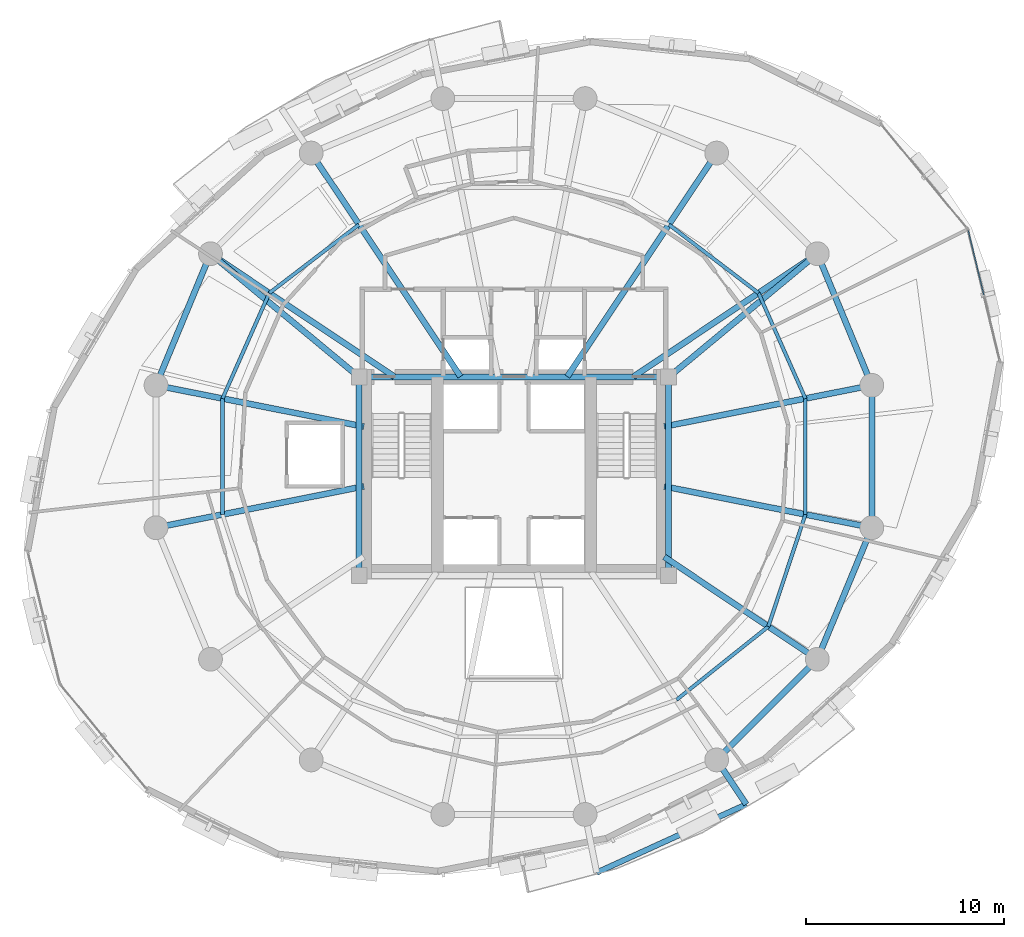
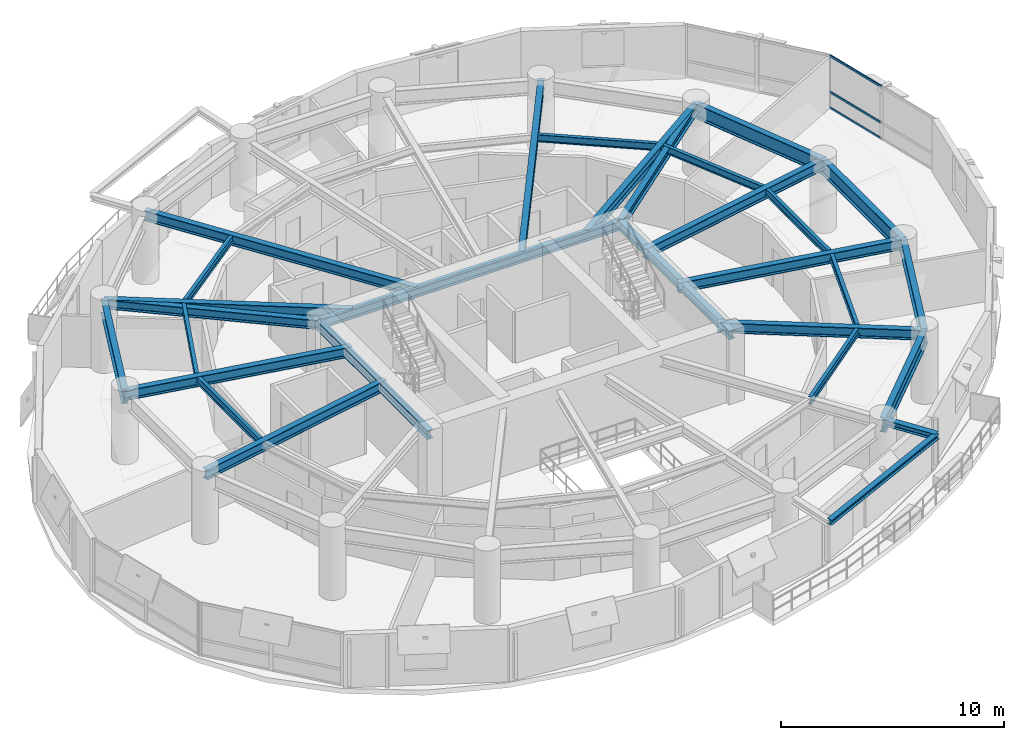
# One storey, part 5 of 14: 29 beams, 3 members, 1 element without a shape of its own.
"""IFC4 building model written with IfcOpenShell, lengths in metres."""

from ifc_helpers import new_model, si_unit, direction, frame, origin, origin_2d, place, context, subcontext, project, spatial, hollow_rectangle, i_section, extrude, material, layer, layer_set, material_profile, profile_set, type_object, element, aggregate, save


model = new_model("IFC4")

# Units and contexts
model_context = context("Model", 3, precision=1e-05, world=origin(), true_north=direction((0.0, 1.0)))
body_context = subcontext(model_context, "Body", "Model", "MODEL_VIEW")
ifc_project = project(units=[si_unit("LENGTHUNIT", "METRE"), si_unit("AREAUNIT", "SQUARE_METRE"), si_unit("VOLUMEUNIT", "CUBIC_METRE"), si_unit("PLANEANGLEUNIT", "RADIAN"), si_unit("MASSUNIT", "GRAM", prefix="KILO"), si_unit("THERMODYNAMICTEMPERATUREUNIT", "KELVIN"), si_unit("POWERUNIT", "WATT")], contexts=[model_context])

# Site, building, storey
site_placement = place(None, origin())
site = spatial("IfcSite", under=ifc_project, at=site_placement, CompositionType="ELEMENT")
building_placement = place(site_placement, origin())
building = spatial("IfcBuilding", under=site, at=building_placement, Name="Ocrelia Relay Tower", CompositionType="ELEMENT")
storey_placement = place(building_placement, frame((0.0, 0.0, 145.800048828125)))
storey = spatial("IfcBuildingStorey", under=building, at=storey_placement, Name="L34", CompositionType="ELEMENT", Elevation=145.800048828125)

# Beams
ifc_material_1 = material(Name="Steel S355", Category="steel")
ifc_material_profile_1 = material_profile(ifc_material_1, i_section(OverallWidth=0.280029296875, OverallDepth=0.27001953125, WebThickness=0.008056640625, FlangeThickness=0.012939453125, FilletRadius=0.02392578125, at=origin_2d()), Name="HEA 280")
ifc_profile_set_1 = profile_set([ifc_material_profile_1], Name="Steel S355")
beam_type_1 = type_object("IfcBeamType", Name="BM-HEA280", PredefinedType="BEAM", material=ifc_profile_set_1)
beam_1_placement = place(storey_placement, frame((38.173583984375, 5.017333984375, 3.5849609375), z_axis=(0.909713143256, 0.415237277937, 0.0), x_axis=(-0.415237277937, 0.909713143256, 0.0)))
element("IfcBeam", 1, at=beam_1_placement, inside=storey, type_object=beam_type_1, Name="L35 Balcony Edge Trimmer Beam B2", PredefinedType="BEAM", context=body_context, shape_type="SweptSolid", body=[
    extrude(i_section(OverallWidth=0.280029296875, OverallDepth=0.27001953125, WebThickness=0.008056640625, FlangeThickness=0.012939453125, FilletRadius=0.02392578125, at=origin_2d()), origin(), (0.0, 0.0, 1.0), 8.294189453125),
])
ifc_material_profile_2 = material_profile(ifc_material_1, i_section(OverallWidth=0.300048828125, OverallDepth=0.330078125, WebThickness=0.009521484375, FlangeThickness=0.0166015625, FilletRadius=0.027099609375, at=origin_2d()), Name="HEA 340")
ifc_profile_set_2 = profile_set([ifc_material_profile_2], Name="Steel S355")
beam_type_2 = type_object("IfcBeamType", Name="BM-HEA340", PredefinedType="BEAM", material=ifc_profile_set_2)
beam_2_placement = place(storey_placement, frame((44.222412109375, 10.700927734375, 3.554931640625), z_axis=(0.555620196533, -0.831436225579, 0.0), x_axis=(0.831436225579, 0.555620196533, 0.0)))
element("IfcBeam", 2, at=beam_2_placement, inside=storey, type_object=beam_type_2, Name="L35 Balcony Cantilever Beam B2-2", PredefinedType="BEAM", context=body_context, shape_type="SweptSolid", body=[
    extrude(i_section(OverallWidth=0.300048828125, OverallDepth=0.330078125, WebThickness=0.009521484375, FlangeThickness=0.0166015625, FilletRadius=0.027099609375, at=origin_2d()), origin(), (0.0, 0.0, 1.0), 2.693603515625),
])
ifc_material_profile_3 = material_profile(ifc_material_1, i_section(OverallWidth=0.300048828125, OverallDepth=0.5, WebThickness=0.014404296875, FlangeThickness=0.028076171875, FilletRadius=0.027099609375, at=origin_2d()), Name="HEB 500")
ifc_profile_set_3 = profile_set([ifc_material_profile_3], Name="Steel S355")
beam_type_3 = type_object("IfcBeamType", Name="BM-HEB500", PredefinedType="BEAM", material=ifc_profile_set_3)
beam_3_placement = place(storey_placement, frame((26.199951171875, 30.0, 3.469970703125), z_axis=(1.0, 0.0, 0.0), x_axis=(0.0, 1.0, 0.0)))
element("IfcBeam", 3, at=beam_3_placement, inside=storey, type_object=beam_type_3, Name="L34 Core Pilaster Tie Beam N", PredefinedType="BEAM", context=body_context, shape_type="SweptSolid", body=[
    extrude(i_section(OverallWidth=0.300048828125, OverallDepth=0.5, WebThickness=0.014404296875, FlangeThickness=0.028076171875, FilletRadius=0.027099609375, at=origin_2d()), origin(), (0.0, 0.0, 1.0), 15.60009765625),
])
for number, where, z_axis, x_axis, name in (
    (4, (26.199951171875, 20.0, 3.469970703125), (0.0, 1.0, 0.0), (-1.0, 0.0, 0.0), "L34 Core Pilaster Tie Beam W"),
    (5, (41.800048828125, 20.0, 3.469970703125), (0.0, 1.0, 0.0), (-1.0, 0.0, 0.0), "L34 Core Pilaster Tie Beam E"),
):
    element("IfcBeam", number, at=place(storey_placement, frame(where, z_axis=z_axis, x_axis=x_axis)), inside=storey, type_object=beam_type_3, Name=name, PredefinedType="BEAM", context=body_context, shape_type="SweptSolid", body=[
        extrude(i_section(OverallWidth=0.300048828125, OverallDepth=0.5, WebThickness=0.014404296875, FlangeThickness=0.028076171875, FilletRadius=0.027099609375, at=origin_2d()), origin(), (0.0, 0.0, 1.0), 10.0),
    ])
for number, where, z_axis, x_axis, name in (
    (6, (49.299072265625, 36.222412109375, 3.469970703125), (-0.769570862751, -0.638561420072, 0.0), (0.638561420072, -0.769570862751, 0.0), "L34 Core Pilaster Frame Tie Beam PT02"),
    (7, (18.700927734375, 36.222412109375, 3.469970703125), (0.769570862751, -0.638561420072, 0.0), (0.638561420072, 0.769570862751, 0.0), "L34 Core Pilaster Frame Tie Beam PT07"),
):
    element("IfcBeam", number, at=place(storey_placement, frame(where, z_axis=z_axis, x_axis=x_axis)), inside=storey, type_object=beam_type_3, Name=name, PredefinedType="BEAM", context=body_context, shape_type="SweptSolid", body=[
        extrude(i_section(OverallWidth=0.300048828125, OverallDepth=0.5, WebThickness=0.014404296875, FlangeThickness=0.028076171875, FilletRadius=0.027099609375, at=origin_2d()), origin(), (0.0, 0.0, 1.0), 9.744384765625),
    ])
ifc_material_profile_4 = material_profile(ifc_material_1, i_section(OverallWidth=0.300048828125, OverallDepth=0.550048828125, WebThickness=0.014892578125, FlangeThickness=0.029052734375, FilletRadius=0.027099609375, at=origin_2d()), Name="HEB 550")
ifc_profile_set_4 = profile_set([ifc_material_profile_4], Name="Steel S355")
beam_type_4 = type_object("IfcBeamType", Name="BM-HEB550", PredefinedType="BEAM", material=ifc_profile_set_4)
beam_4_placement = place(storey_placement, frame((52.04638671875, 29.589599609375, 3.445068359375), z_axis=(-0.980786914024, -0.195082109071, 0.0), x_axis=(0.195082109071, -0.980786914024, 0.0)))
element("IfcBeam", 8, at=beam_4_placement, inside=storey, type_object=beam_type_4, Name="L34 Radial Floor Girder R01", PredefinedType="BEAM", context=body_context, shape_type="SweptSolid", body=[
    extrude(i_section(OverallWidth=0.300048828125, OverallDepth=0.550048828125, WebThickness=0.014892578125, FlangeThickness=0.029052734375, FilletRadius=0.027099609375, at=origin_2d()), origin(), (0.0, 0.0, 1.0), 10.67138671875),
])
beam_5_placement = place(storey_placement, frame((49.299072265625, 36.222412109375, 3.445068359375), z_axis=(-0.83147699108, -0.555559189741, 0.0), x_axis=(0.555559189741, -0.83147699108, 0.0)))
element("IfcBeam", 9, at=beam_5_placement, inside=storey, type_object=beam_type_4, Name="L34 Radial Floor Girder R02", PredefinedType="BEAM", context=body_context, shape_type="SweptSolid", body=[
    extrude(i_section(OverallWidth=0.300048828125, OverallDepth=0.550048828125, WebThickness=0.014892578125, FlangeThickness=0.029052734375, FilletRadius=0.027099609375, at=origin_2d()), origin(), (0.0, 0.0, 1.0), 11.146240234375),
])
for number, where, z_axis, x_axis, name in (
    (10, (44.222412109375, 41.299072265625, 3.445068359375), (-0.555560399988, -0.83147618244, 0.0), (0.83147618244, -0.555560399988, 0.0), "L34 Radial Floor Girder R03"),
    (11, (23.777587890625, 41.299072265625, 3.445068359375), (0.555560399988, -0.83147618244, 0.0), (0.83147618244, 0.555560399988, 0.0), "L34 Radial Floor Girder R06"),
):
    element("IfcBeam", number, at=place(storey_placement, frame(where, z_axis=z_axis, x_axis=x_axis)), inside=storey, type_object=beam_type_4, Name=name, PredefinedType="BEAM", context=body_context, shape_type="SweptSolid", body=[
        extrude(i_section(OverallWidth=0.300048828125, OverallDepth=0.550048828125, WebThickness=0.014892578125, FlangeThickness=0.029052734375, FilletRadius=0.027099609375, at=origin_2d()), origin(), (0.0, 0.0, 1.0), 13.552978515625),
    ])
beam_6_placement = place(storey_placement, frame((18.700927734375, 36.222412109375, 3.445068359375), z_axis=(0.83147699108, -0.555559189741, 0.0), x_axis=(0.555559189741, 0.83147699108, 0.0)))
element("IfcBeam", 12, at=beam_6_placement, inside=storey, type_object=beam_type_4, Name="L34 Radial Floor Girder R07", PredefinedType="BEAM", context=body_context, shape_type="SweptSolid", body=[
    extrude(i_section(OverallWidth=0.300048828125, OverallDepth=0.550048828125, WebThickness=0.014892578125, FlangeThickness=0.029052734375, FilletRadius=0.027099609375, at=origin_2d()), origin(), (0.0, 0.0, 1.0), 11.146240234375),
])
for number, where, z_axis, x_axis, name in (
    (13, (15.95361328125, 29.589599609375, 3.445068359375), (0.980787592082, -0.195078700063, 0.0), (0.195078700063, 0.980787592082, 0.0), "L34 Radial Floor Girder R08"),
    (14, (15.95361328125, 22.410400390625, 3.445068359375), (0.980787592082, 0.195078700063, 0.0), (-0.195078700063, 0.980787592082, 0.0), "L34 Radial Floor Girder R09"),
):
    element("IfcBeam", number, at=place(storey_placement, frame(where, z_axis=z_axis, x_axis=x_axis)), inside=storey, type_object=beam_type_4, Name=name, PredefinedType="BEAM", context=body_context, shape_type="SweptSolid", body=[
        extrude(i_section(OverallWidth=0.300048828125, OverallDepth=0.550048828125, WebThickness=0.014892578125, FlangeThickness=0.029052734375, FilletRadius=0.027099609375, at=origin_2d()), origin(), (0.0, 0.0, 1.0), 10.681640625),
    ])
beam_7_placement = place(storey_placement, frame((49.299072265625, 15.777587890625, 3.445068359375), z_axis=(-0.8314672312, 0.555573796575, 0.0), x_axis=(-0.555573796575, -0.8314672312, 0.0)))
element("IfcBeam", 15, at=beam_7_placement, inside=storey, type_object=beam_type_4, Name="L34 Radial Floor Girder R15", PredefinedType="BEAM", context=body_context, shape_type="SweptSolid", body=[
    extrude(i_section(OverallWidth=0.300048828125, OverallDepth=0.550048828125, WebThickness=0.014892578125, FlangeThickness=0.029052734375, FilletRadius=0.027099609375, at=origin_2d()), origin(), (0.0, 0.0, 1.0), 9.28369140625),
])
beam_8_placement = place(storey_placement, frame((52.04638671875, 22.410400390625, 3.445068359375), z_axis=(-0.980786914024, 0.195082109071, 0.0), x_axis=(-0.195082109071, -0.980786914024, 0.0)))
element("IfcBeam", 16, at=beam_8_placement, inside=storey, type_object=beam_type_4, Name="L34 Radial Floor Girder R16", PredefinedType="BEAM", context=body_context, shape_type="SweptSolid", body=[
    extrude(i_section(OverallWidth=0.300048828125, OverallDepth=0.550048828125, WebThickness=0.014892578125, FlangeThickness=0.029052734375, FilletRadius=0.027099609375, at=origin_2d()), origin(), (0.0, 0.0, 1.0), 10.67138671875),
])
ifc_material_profile_5 = material_profile(ifc_material_1, i_section(OverallWidth=0.300048828125, OverallDepth=0.800048828125, WebThickness=0.017578125, FlangeThickness=0.032958984375, FilletRadius=0.030029296875, at=origin_2d()), Name="HEB 800")
ifc_profile_set_5 = profile_set([ifc_material_profile_5], Name="Steel S355")
beam_type_5 = type_object("IfcBeamType", Name="BM-HEB800", PredefinedType="BEAM", material=ifc_profile_set_5)
for number, where, z_axis, x_axis, name in (
    (17, (52.04638671875, 29.589599609375, 3.320068359375), (-0.382673155247, 0.923883789366, 0.0), (-0.923883789366, -0.382673155247, 0.0), "L34 Perimeter Spandrel Beam S01"),
    (18, (18.700927734375, 36.222412109375, 3.320068359375), (-0.382673155247, -0.923883789366, 0.0), (0.923883789366, -0.382673155247, 0.0), "L34 Perimeter Spandrel Beam S07"),
):
    element("IfcBeam", number, at=place(storey_placement, frame(where, z_axis=z_axis, x_axis=x_axis)), inside=storey, type_object=beam_type_5, Name=name, PredefinedType="BEAM", context=body_context, shape_type="SweptSolid", body=[
        extrude(i_section(OverallWidth=0.300048828125, OverallDepth=0.800048828125, WebThickness=0.017578125, FlangeThickness=0.032958984375, FilletRadius=0.030029296875, at=origin_2d()), origin(), (0.0, 0.0, 1.0), 7.17919921875),
    ])
beam_9_placement = place(storey_placement, frame((44.222412109375, 10.700927734375, 3.320068359375), z_axis=(0.707106781187, 0.707106781187, 0.0), x_axis=(-0.707106781187, 0.707106781187, 0.0)))
element("IfcBeam", 19, at=beam_9_placement, inside=storey, type_object=beam_type_5, Name="L34 Perimeter Spandrel Beam S14", PredefinedType="BEAM", context=body_context, shape_type="SweptSolid", body=[
    extrude(i_section(OverallWidth=0.300048828125, OverallDepth=0.800048828125, WebThickness=0.017578125, FlangeThickness=0.032958984375, FilletRadius=0.030029296875, at=origin_2d()), origin(), (0.0, 0.0, 1.0), 7.179443359375),
])
for number, where, z_axis, x_axis, name in (
    (20, (49.299072265625, 15.777587890625, 3.320068359375), (0.382673155247, 0.923883789366, 0.0), (-0.923883789366, 0.382673155247, 0.0), "L34 Perimeter Spandrel Beam S15"),
    (21, (52.04638671875, 22.410400390625, 3.320068359375), (0.0, 1.0, 0.0), (-1.0, 0.0, 0.0), "L34 Perimeter Spandrel Beam S16"),
):
    element("IfcBeam", number, at=place(storey_placement, frame(where, z_axis=z_axis, x_axis=x_axis)), inside=storey, type_object=beam_type_5, Name=name, PredefinedType="BEAM", context=body_context, shape_type="SweptSolid", body=[
        extrude(i_section(OverallWidth=0.300048828125, OverallDepth=0.800048828125, WebThickness=0.017578125, FlangeThickness=0.032958984375, FilletRadius=0.030029296875, at=origin_2d()), origin(), (0.0, 0.0, 1.0), 7.17919921875),
    ])
ifc_material_profile_6 = material_profile(ifc_material_1, i_section(OverallWidth=0.179931640625, OverallDepth=0.39990234375, WebThickness=0.008544921875, FlangeThickness=0.013427734375, FilletRadius=0.02099609375, at=origin_2d()), Name="IPE 400")
ifc_profile_set_6 = profile_set([ifc_material_profile_6], Name="Steel S355")
beam_type_6 = type_object("IfcBeamType", Name="BM-IPE400", PredefinedType="JOIST", material=ifc_profile_set_6)
beam_10_placement = place(storey_placement, frame((48.697265625, 28.923583984375, 3.52001953125), z_axis=(-0.406243565397, 0.913764830563, 0.0), x_axis=(-0.913764830563, -0.406243565397, 0.0)))
element("IfcBeam", 22, at=beam_10_placement, inside=storey, type_object=beam_type_6, Name="L34 Secondary Floor Joist J01", PredefinedType="JOIST", context=body_context, shape_type="SweptSolid", body=[
    extrude(i_section(OverallWidth=0.179931640625, OverallDepth=0.39990234375, WebThickness=0.008544921875, FlangeThickness=0.013427734375, FilletRadius=0.02099609375, at=origin_2d()), origin(), (0.0, 0.0, 1.0), 5.819091796875),
])
for number, where, z_axis, x_axis, name in (
    (23, (46.333251953125, 34.240966796875, 3.52001953125), (-0.794762167004, 0.60692099807, 0.0), (-0.60692099807, -0.794762167004, 0.0), "L34 Secondary Floor Joist J02"),
    (24, (26.18701171875, 37.69287109375, 3.52001953125), (-0.794762167004, -0.60692099807, 0.0), (0.60692099807, -0.794762167004, 0.0), "L34 Secondary Floor Joist J06"),
):
    element("IfcBeam", number, at=place(storey_placement, frame(where, z_axis=z_axis, x_axis=x_axis)), inside=storey, type_object=beam_type_6, Name=name, PredefinedType="JOIST", context=body_context, shape_type="SweptSolid", body=[
        extrude(i_section(OverallWidth=0.179931640625, OverallDepth=0.39990234375, WebThickness=0.008544921875, FlangeThickness=0.013427734375, FilletRadius=0.02099609375, at=origin_2d()), origin(), (0.0, 0.0, 1.0), 5.6875),
    ])
beam_11_placement = place(storey_placement, frame((21.666748046875, 34.240966796875, 3.52001953125), z_axis=(-0.405741333342, -0.913987948727, 0.0), x_axis=(0.913987948727, -0.405741333342, 0.0)))
element("IfcBeam", 25, at=beam_11_placement, inside=storey, type_object=beam_type_6, Name="L34 Secondary Floor Joist J07", PredefinedType="JOIST", context=body_context, shape_type="SweptSolid", body=[
    extrude(i_section(OverallWidth=0.179931640625, OverallDepth=0.39990234375, WebThickness=0.008544921875, FlangeThickness=0.013427734375, FilletRadius=0.02099609375, at=origin_2d()), origin(), (0.0, 0.0, 1.0), 5.818603515625),
])
beam_12_placement = place(storey_placement, frame((19.305908203125, 28.9228515625, 3.52001953125), z_axis=(0.0, -1.0, 0.0), x_axis=(1.0, 0.0, 0.0)))
element("IfcBeam", 26, at=beam_12_placement, inside=storey, type_object=beam_type_6, Name="L34 Secondary Floor Joist J08", PredefinedType="JOIST", context=body_context, shape_type="SweptSolid", body=[
    extrude(i_section(OverallWidth=0.179931640625, OverallDepth=0.39990234375, WebThickness=0.008544921875, FlangeThickness=0.013427734375, FilletRadius=0.02099609375, at=origin_2d()), origin(), (0.0, 0.0, 1.0), 5.845703125),
])
beam_13_placement = place(storey_placement, frame((42.197998046875, 13.731201171875, 3.52001953125), z_axis=(0.781519577804, 0.623880717372, 0.0), x_axis=(-0.623880717372, 0.781519577804, 0.0)))
element("IfcBeam", 27, at=beam_13_placement, inside=storey, type_object=beam_type_6, Name="L34 Secondary Floor Joist J14", PredefinedType="JOIST", context=body_context, shape_type="SweptSolid", body=[
    extrude(i_section(OverallWidth=0.179931640625, OverallDepth=0.39990234375, WebThickness=0.008544921875, FlangeThickness=0.013427734375, FilletRadius=0.02099609375, at=origin_2d()), origin(), (0.0, 0.0, 1.0), 5.925537109375),
])
beam_14_placement = place(storey_placement, frame((46.828857421875, 17.427978515625, 3.52001953125), z_axis=(0.314047924314, 0.949407131443, 0.0), x_axis=(-0.949407131443, 0.314047924314, 0.0)))
element("IfcBeam", 28, at=beam_14_placement, inside=storey, type_object=beam_type_6, Name="L34 Secondary Floor Joist J15", PredefinedType="JOIST", context=body_context, shape_type="SweptSolid", body=[
    extrude(i_section(OverallWidth=0.179931640625, OverallDepth=0.39990234375, WebThickness=0.008544921875, FlangeThickness=0.013427734375, FilletRadius=0.02099609375, at=origin_2d()), origin(), (0.0, 0.0, 1.0), 5.949462890625),
])
beam_15_placement = place(storey_placement, frame((48.697265625, 23.076416015625, 3.52001953125), z_axis=(0.0, 1.0, 0.0), x_axis=(-1.0, 0.0, 0.0)))
element("IfcBeam", 29, at=beam_15_placement, inside=storey, type_object=beam_type_6, Name="L34 Secondary Floor Joist J16", PredefinedType="JOIST", context=body_context, shape_type="SweptSolid", body=[
    extrude(i_section(OverallWidth=0.179931640625, OverallDepth=0.39990234375, WebThickness=0.008544921875, FlangeThickness=0.013427734375, FilletRadius=0.02099609375, at=origin_2d()), origin(), (0.0, 0.0, 1.0), 5.84716796875),
])

# Curtain wall, members
ifc_material_2 = material(Name="Aluminium and solar-control low-E glass", Category="aluminium")
ifc_layer = layer(ifc_material_2, 0.179931640625, Name="Aluminium and solar-control low-E glass")
ifc_layer_set = layer_set([ifc_layer], Name="Aluminium and solar-control low-E glass")
curtain_wall_type = type_object("IfcCurtainWallType", Name="CW-SYS-Z2-SWIT", PredefinedType="NOTDEFINED", material=ifc_layer_set)
curtain_wall_placement = place(storey_placement, origin())
curtain_wall = element("IfcCurtainWall", 30, at=curtain_wall_placement, inside=storey, type_object=curtain_wall_type, Name="L34 Elliptical Tower Curtain Wall Bay 18", PredefinedType="NOTDEFINED")
ifc_material_3 = material(Name="Anodised bronze aluminium", Category="aluminium")
ifc_material_profile_7 = material_profile(ifc_material_3, hollow_rectangle(XDim=0.06005859375, YDim=0.1201171875, WallThickness=0.0048828125, at=origin_2d()), Name="CW-TRN-120x60")
ifc_profile_set_7 = profile_set([ifc_material_profile_7], Name="Anodised bronze aluminium")
member_type = type_object("IfcMemberType", Name="CW-SYS-Z2-SWIT-TRN", PredefinedType="USERDEFINED", material=ifc_profile_set_7)
member_1_placement = place(storey_placement, frame((57.692626953125, 34.154052734375, 0.030029296875), z_axis=(-0.235690134718, 0.971828256636, 0.0), x_axis=(-0.971828256636, -0.235690134718, 0.0)))
member_1 = element("IfcMember", 31, at=member_1_placement, type_object=member_type, Name="CW-Z2 transom 2.1", ObjectType="TRANSOM", PredefinedType="USERDEFINED", context=body_context, shape_type="SweptSolid", body=[
    extrude(hollow_rectangle(XDim=0.06005859375, YDim=0.1201171875, WallThickness=0.0048828125, at=origin_2d()), origin(), (0.0, 0.0, 1.0), 3.33447265625),
])
member_2_placement = place(storey_placement, frame((57.692626953125, 34.154052734375, 0.89990234375), z_axis=(-0.235690134718, 0.971828256636, 0.0), x_axis=(-0.971828256636, -0.235690134718, 0.0)))
member_2 = element("IfcMember", 32, at=member_2_placement, type_object=member_type, Name="CW-Z2 transom 2.2", ObjectType="TRANSOM", PredefinedType="USERDEFINED", context=body_context, shape_type="SweptSolid", body=[
    extrude(hollow_rectangle(XDim=0.06005859375, YDim=0.1201171875, WallThickness=0.0048828125, at=origin_2d()), origin(), (0.0, 0.0, 1.0), 3.33447265625),
])
member_3_placement = place(storey_placement, frame((57.692626953125, 34.154052734375, 2.869873046875), z_axis=(-0.235690134718, 0.971828256636, 0.0), x_axis=(-0.971828256636, -0.235690134718, 0.0)))
member_3 = element("IfcMember", 33, at=member_3_placement, type_object=member_type, Name="CW-Z2 transom 2.3", ObjectType="TRANSOM", PredefinedType="USERDEFINED", context=body_context, shape_type="SweptSolid", body=[
    extrude(hollow_rectangle(XDim=0.06005859375, YDim=0.1201171875, WallThickness=0.0048828125, at=origin_2d()), origin(), (0.0, 0.0, 1.0), 3.33447265625),
])
aggregate(curtain_wall, [member_1, member_2, member_3])

save(model, "model.ifc")
